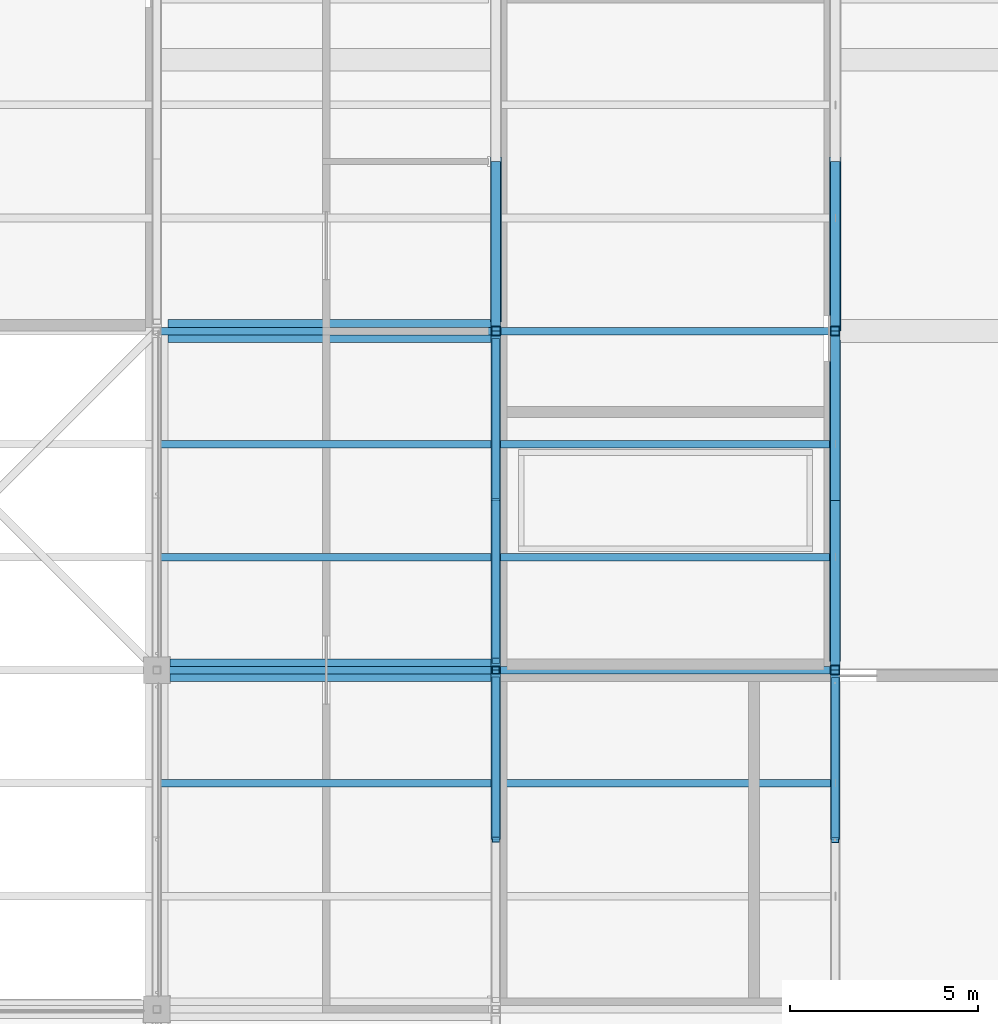
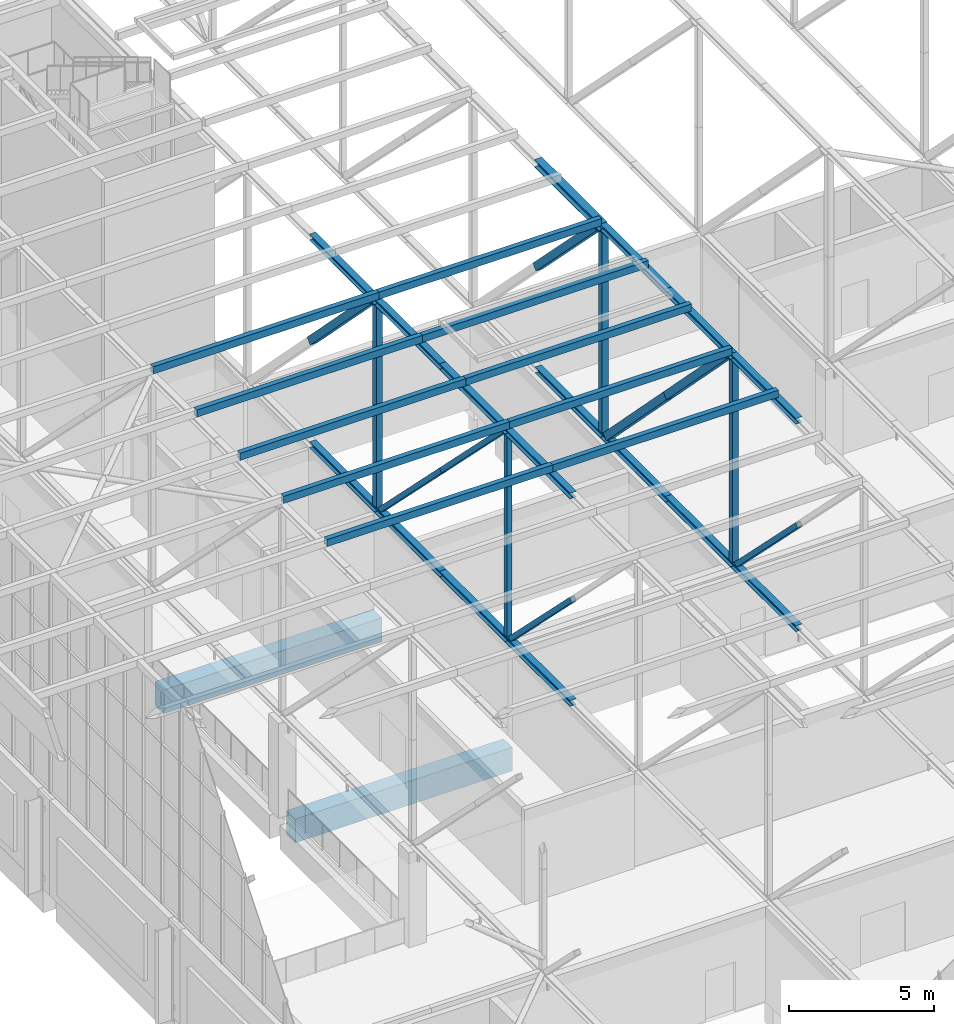
# One storey, part 24 of 646: 42 members, 2 beams.
"""IFC4 building model written with IfcOpenShell, lengths in metres."""

import ifcopenshell
import ifcopenshell.guid

model = None  # the IFC model being written
_history = None  # IfcOwnerHistory: only IFC2X3 demands one
_inside = {}  # id of a spatial element -> (the spatial element, [elements in it])
_under = {}  # id of a project, library or spatial element -> (it, [spatial elements below it])
_declared = {}  # id of a project -> (the project, [libraries it declares])
_typed = {}  # id of a type object -> (the type object, [elements of that type])
_made_of = {}  # id of a material, layer set ... -> (it, [elements and type objects made of it])


def new_model(schema):
    """Start an empty IFC model of exactly this schema.

    Asked for "IFC4X3", IfcOpenShell would pick the latest addendum, in which some entities
    have other attributes; the version numbers below select the first issue.
    IFC2X3 requires an IfcOwnerHistory on every rooted entity: one is made here for all.
    """
    global model, _history
    if schema == "IFC4X3":
        model = ifcopenshell.file(schema_version=(4, 3, 0, 0))
    else:
        model = ifcopenshell.file(schema=schema)
    _inside.clear()
    _under.clear()
    _declared.clear()
    _typed.clear()
    _made_of.clear()
    _history = None
    if model.schema == "IFC2X3":
        org = make("IfcOrganization", Name="unknown")
        user = make(
            "IfcPersonAndOrganization",
            ThePerson=make("IfcPerson", FamilyName="unknown"),
            TheOrganization=org,
        )
        app = make(
            "IfcApplication",
            ApplicationDeveloper=org,
            Version="unknown",
            ApplicationFullName="unknown",
            ApplicationIdentifier="unknown",
        )
        _history = make(
            "IfcOwnerHistory",
            OwningUser=user,
            OwningApplication=app,
            ChangeAction="ADDED",
            CreationDate=0,
        )
    return model


def make(cls, **values):
    """One entity of the class cls with the attributes given. An attribute that is None is left unset."""
    return model.create_entity(
        cls, **{name: value for name, value in values.items() if value is not None}
    )


def rooted(cls, **values):
    """An entity with a GlobalId (a new one), such as an element, a storey or a relation."""
    return make(cls, GlobalId=ifcopenshell.guid.new(), OwnerHistory=_history, **values)


def si_unit(unit_type, name, prefix=None):
    """IfcSIUnit, for example si_unit("LENGTHUNIT", "METRE", prefix="MILLI")."""
    return make("IfcSIUnit", UnitType=unit_type, Prefix=prefix, Name=name)


def assignment(units):
    """IfcUnitAssignment: the units of a project."""
    return None if units is None else make("IfcUnitAssignment", Units=units)


def point(xyz):
    """IfcCartesianPoint."""
    return None if xyz is None else make("IfcCartesianPoint", Coordinates=xyz)


def direction(xyz):
    """IfcDirection."""
    return None if xyz is None else make("IfcDirection", DirectionRatios=xyz)


def frame(location, z_axis=None, x_axis=None):
    """IfcAxis2Placement3D, a coordinate frame: its origin and axes. An axis left out is left unset."""
    return make(
        "IfcAxis2Placement3D",
        Location=point(location),
        Axis=direction(z_axis),
        RefDirection=direction(x_axis),
    )


def frame_2d(location, x_axis=None):
    """IfcAxis2Placement2D, a coordinate frame in the plane: its origin and x axis."""
    return make(
        "IfcAxis2Placement2D", Location=point(location), RefDirection=direction(x_axis)
    )


def origin():
    """The frame at (0, 0, 0) with its axes left unset."""
    return frame((0.0, 0.0, 0.0))


def origin_2d():
    """The frame at (0, 0) in the plane with its x axis left unset."""
    return frame_2d((0.0, 0.0))


def place(relative_to, where):
    """IfcLocalPlacement: puts the frame where relative to a parent placement (None: the world)."""
    return make(
        "IfcLocalPlacement", PlacementRelTo=relative_to, RelativePlacement=where
    )


def context(
    kind, dimensions, precision=None, world=None, true_north=None, identifier=None
):
    """IfcGeometricRepresentationContext, for example the 3D "Model" context."""
    return make(
        "IfcGeometricRepresentationContext",
        ContextIdentifier=identifier,
        ContextType=kind,
        CoordinateSpaceDimension=dimensions,
        Precision=precision,
        WorldCoordinateSystem=world,
        TrueNorth=true_north,
    )


def subcontext(parent, identifier, kind, view, scale=None):
    """IfcGeometricRepresentationSubContext, for example "Body" below "Model"."""
    return make(
        "IfcGeometricRepresentationSubContext",
        ContextIdentifier=identifier,
        ContextType=kind,
        ParentContext=parent,
        TargetScale=scale,
        TargetView=view,
    )


def project(units=None, contexts=None):
    """IfcProject with its units and contexts."""
    return rooted(
        "IfcProject",
        Name="project",
        RepresentationContexts=contexts,
        UnitsInContext=assignment(units),
    )


def spatial(cls, under=None, at=None, **own):
    """A site, building, storey or space (cls), placed at a placement, below another one or the project."""
    s = rooted(cls, ObjectPlacement=at, **own)
    if under is not None:
        _under.setdefault(under.id(), (under, []))[1].append(s)
    return s


def profile(cls, at=None, kind="AREA", **sizes):
    """A parametric profile (cls). Its sizes go by their IFC names, for example OverallWidth=200.0."""
    return make(cls, ProfileType=kind, Position=at, **sizes)


def rectangle(**sizes):
    """IfcRectangleProfileDef."""
    return profile("IfcRectangleProfileDef", **sizes)


def hollow_rectangle(**sizes):
    """IfcRectangleHollowProfileDef."""
    return profile("IfcRectangleHollowProfileDef", **sizes)


def i_section(**sizes):
    """IfcIShapeProfileDef."""
    return profile("IfcIShapeProfileDef", **sizes)


def extrude(swept, where, along, depth):
    """IfcExtrudedAreaSolid: the profile swept, set in the frame where, extruded along a direction by depth."""
    return make(
        "IfcExtrudedAreaSolid",
        SweptArea=swept,
        Position=where,
        ExtrudedDirection=direction(along),
        Depth=depth,
    )


def shape(context_of_items, identifier, shape_type, items):
    """IfcShapeRepresentation: the items that make up one representation, for example the "Body"."""
    return make(
        "IfcShapeRepresentation",
        ContextOfItems=context_of_items,
        RepresentationIdentifier=identifier,
        RepresentationType=shape_type,
        Items=items,
    )


def material(Name=None, Category=None):
    """IfcMaterial."""
    return make("IfcMaterial", Name=Name, Category=Category)


def material_profile(
    of_material, cross_section, Name=None, Category=None, Priority=None
):
    """IfcMaterialProfile: a cross section and its material."""
    return make(
        "IfcMaterialProfile",
        Name=Name,
        Material=of_material,
        Profile=cross_section,
        Priority=Priority,
        Category=Category,
    )


def profile_set(profiles, Name=None, composite=None):
    """IfcMaterialProfileSet."""
    return make(
        "IfcMaterialProfileSet",
        Name=Name,
        MaterialProfiles=profiles,
        CompositeProfile=composite,
    )


def made_of(thing, what):
    """Note that an element or type object is made of a material, layer set ...; save() writes the relation."""
    if what is not None:
        _made_of.setdefault(what.id(), (what, []))[1].append(thing)
    return thing


def type_object(cls, material=None, **own):
    """A type object (cls), such as IfcWallType, which elements share."""
    return made_of(rooted(cls, **own), material)


def element(
    cls,
    number,
    at=None,
    inside=None,
    cuts=None,
    type_object=None,
    material=None,
    context=None,
    identifier="Body",
    shape_type=None,
    held_by="IfcProductDefinitionShape",
    body=None,
    shapes=None,
    **own,
):
    """One element of the class cls, such as IfcWall. Its Tag is "e" and its number.

    at: its placement. inside: the storey or other place that contains it. cuts: it is an
    opening in that element (IfcRelVoidsElement). A single representation is given by context,
    identifier, shape_type and body (its items); several are given by shapes. held_by: the class
    of the entity that holds the representations. save() writes the other relations.
    """
    e = rooted(cls, Tag="e%d" % number, ObjectPlacement=at, **own)
    if body is not None:
        shapes = [shape(context, identifier, shape_type, body)]
    if shapes is not None:
        e.Representation = make(held_by, Representations=shapes)
    if inside is not None:
        _inside.setdefault(inside.id(), (inside, []))[1].append(e)
    if cuts is not None:
        rooted(
            "IfcRelVoidsElement", RelatingBuildingElement=cuts, RelatedOpeningElement=e
        )
    if type_object is not None:
        _typed.setdefault(type_object.id(), (type_object, []))[1].append(e)
    return made_of(e, material)


def aggregate(whole, parts):
    """IfcRelAggregates: a whole, such as a stair, and the parts it consists of."""
    return rooted("IfcRelAggregates", RelatingObject=whole, RelatedObjects=parts)


def save(model, path):
    """Write the relations noted so far, then the file.

    IfcRelAggregates (storeys below a building ...), IfcRelContainedInSpatialStructure (elements
    in a storey), IfcRelDefinesByType, IfcRelAssociatesMaterial and IfcRelDeclares: one each for
    every whole, place, type object, material and project.
    """
    for whole, parts in _under.values():
        aggregate(whole, parts)
    for where, things in _inside.values():
        rooted(
            "IfcRelContainedInSpatialStructure",
            RelatedElements=things,
            RelatingStructure=where,
        )
    for kind, things in _typed.values():
        rooted("IfcRelDefinesByType", RelatedObjects=things, RelatingType=kind)
    for what, things in _made_of.values():
        rooted("IfcRelAssociatesMaterial", RelatedObjects=things, RelatingMaterial=what)
    for by, libraries in _declared.values():
        rooted("IfcRelDeclares", RelatingContext=by, RelatedDefinitions=libraries)
    model.write(path)


model = new_model("IFC4")

# Units and contexts
model_context = context("Model", 3, precision=1e-05, world=origin(), true_north=direction((0.0, 1.0)))
body_context = subcontext(model_context, "Body", "Model", "MODEL_VIEW")
ifc_project = project(units=[si_unit("LENGTHUNIT", "METRE"), si_unit("AREAUNIT", "SQUARE_METRE"), si_unit("VOLUMEUNIT", "CUBIC_METRE"), si_unit("PLANEANGLEUNIT", "RADIAN"), si_unit("MASSUNIT", "GRAM", prefix="KILO")], contexts=[model_context])

# Site, building, storey
site_placement = place(None, origin())
site = spatial("IfcSite", under=ifc_project, at=site_placement, CompositionType="ELEMENT")
building_placement = place(site_placement, origin())
building = spatial("IfcBuilding", under=site, at=building_placement, Name="Silverbay Arena", CompositionType="ELEMENT")
storey_placement = place(building_placement, frame((0.0, 0.0, 33.5)))
storey = spatial("IfcBuildingStorey", under=building, at=storey_placement, Name="L05", CompositionType="ELEMENT", Elevation=33.5)

# Members
ifc_material_1 = material(Name="Steel S355", Category="steel")
ifc_material_profile_1 = material_profile(ifc_material_1, i_section(OverallWidth=0.254638671875, OverallDepth=0.254150390625, WebThickness=0.008544921875, FlangeThickness=0.01416015625, at=origin_2d()), Name="UC 254x254x73")
ifc_profile_set_1 = profile_set([ifc_material_profile_1], Name="Steel S355")
member_type_1 = type_object("IfcMemberType", Name="Long-span bottom chord UC 254x254x73", PredefinedType="CHORD", material=ifc_profile_set_1)
for number, where, z_axis, x_axis, name in (
    (1, (81.0, 40.5, 4.126953125), (0.0, 1.0, 0.0), (-1.0, 0.0, 0.0), "ROOF TRUSS 10 bottom chord 04b"),
    (2, (81.0, 45.0, 4.126953125), (0.0, 1.0, 0.0), (-1.0, 0.0, 0.0), "ROOF TRUSS 10 bottom chord 05a"),
    (3, (81.0, 49.5, 4.126953125), (0.0, 1.0, 0.0), (-1.0, 0.0, 0.0), "ROOF TRUSS 10 bottom chord 05b"),
    (4, (81.0, 54.0, 4.126953125), (0.0, 1.0, 0.0), (-1.0, 0.0, 0.0), "ROOF TRUSS 10 bottom chord 06a"),
):
    element("IfcMember", number, at=place(storey_placement, frame(where, z_axis=z_axis, x_axis=x_axis)), inside=storey, type_object=member_type_1, Name=name, PredefinedType="CHORD", context=body_context, shape_type="SweptSolid", body=[
        extrude(i_section(OverallWidth=0.254638671875, OverallDepth=0.254150390625, WebThickness=0.008544921875, FlangeThickness=0.01416015625, at=origin_2d()), origin(), (0.0, 0.0, 1.0), 4.5),
    ])
ifc_material_2 = material(Name="Steel S355", Category="steel")
ifc_material_profile_2 = material_profile(ifc_material_2, i_section(OverallWidth=0.254638671875, OverallDepth=0.254150390625, WebThickness=0.008544921875, FlangeThickness=0.01416015625, at=origin_2d()), Name="UC 254x254x73")
ifc_profile_set_2 = profile_set([ifc_material_profile_2], Name="Steel S355")
member_type_2 = type_object("IfcMemberType", Name="Long-span top chord UC 254x254x73", PredefinedType="CHORD", material=ifc_profile_set_2)
for number, where, z_axis, x_axis, name in (
    (5, (81.0, 40.5, 12.873046875), (0.0, 1.0, 0.0), (-1.0, 0.0, 0.0), "ROOF TRUSS 10 top chord 04b"),
    (6, (81.0, 45.0, 12.873046875), (0.0, 1.0, 0.0), (-1.0, 0.0, 0.0), "ROOF TRUSS 10 top chord 05a"),
    (7, (81.0, 49.5, 12.873046875), (0.0, 1.0, 0.0), (-1.0, 0.0, 0.0), "ROOF TRUSS 10 top chord 05b"),
):
    element("IfcMember", number, at=place(storey_placement, frame(where, z_axis=z_axis, x_axis=x_axis)), inside=storey, type_object=member_type_2, Name=name, PredefinedType="CHORD", context=body_context, shape_type="SweptSolid", body=[
        extrude(i_section(OverallWidth=0.254638671875, OverallDepth=0.254150390625, WebThickness=0.008544921875, FlangeThickness=0.01416015625, at=origin_2d()), origin(), (0.0, 0.0, 1.0), 4.5),
    ])
ifc_material_3 = material(Name="Steel S355", Category="steel")
ifc_material_profile_3 = material_profile(ifc_material_3, i_section(OverallWidth=0.307373046875, OverallDepth=0.314453125, WebThickness=0.011962890625, FlangeThickness=0.018798828125, at=origin_2d()), Name="UC 305x305x118")
ifc_profile_set_3 = profile_set([ifc_material_profile_3], Name="Steel S355")
member_type_3 = type_object("IfcMemberType", Name="Long-span top chord UC 305x305x118", PredefinedType="CHORD", material=ifc_profile_set_3)
member_1_placement = place(storey_placement, frame((81.0, 54.0, 12.8427734375), z_axis=(0.0, 1.0, 0.0), x_axis=(-1.0, 0.0, 0.0)))
element("IfcMember", 8, at=member_1_placement, inside=storey, type_object=member_type_3, Name="ROOF TRUSS 10 top chord 06a", PredefinedType="CHORD", context=body_context, shape_type="SweptSolid", body=[
    extrude(i_section(OverallWidth=0.307373046875, OverallDepth=0.314453125, WebThickness=0.011962890625, FlangeThickness=0.018798828125, at=origin_2d()), origin(), (0.0, 0.0, 1.0), 4.5),
])
ifc_material_4 = material(Name="Steel S355", Category="steel")
ifc_material_profile_4 = material_profile(ifc_material_4, hollow_rectangle(XDim=0.199951171875, YDim=0.199951171875, WallThickness=0.008056640625, at=origin_2d()), Name="SHS 200x200x8")
ifc_profile_set_4 = profile_set([ifc_material_profile_4], Name="Steel S355")
member_type_4 = type_object("IfcMemberType", Name="Long-span truss diagonal SHS 200x200x8", PredefinedType="BRACE", material=ifc_profile_set_4)
member_2_placement = place(storey_placement, frame((81.0, 40.487548828125, 8.5), z_axis=(0.0, 0.7067609232, -0.707452470091), x_axis=(-1.0, 0.0, 0.0)))
element("IfcMember", 9, at=member_2_placement, inside=storey, type_object=member_type_4, Name="ROOF TRUSS 10 diagonal 04b", PredefinedType="BRACE", context=body_context, shape_type="SweptSolid", body=[
    extrude(hollow_rectangle(XDim=0.199951171875, YDim=0.199951171875, WallThickness=0.008056640625, at=origin_2d()), origin(), (0.0, 0.0, 1.0), 6.001708984375),
])
ifc_material_5 = material(Name="Steel S355", Category="steel")
ifc_material_profile_5 = material_profile(ifc_material_5, hollow_rectangle(XDim=0.300048828125, YDim=0.300048828125, WallThickness=0.012451171875, at=origin_2d()), Name="SHS 300x300x12.5")
ifc_profile_set_5 = profile_set([ifc_material_profile_5], Name="Steel S355")
member_type_5 = type_object("IfcMemberType", Name="Long-span truss diagonal SHS 300x300x12.5", PredefinedType="BRACE", material=ifc_profile_set_5)
member_3_placement = place(storey_placement, frame((81.0, 54.344482421875, 12.685546875), z_axis=(0.0, 0.70264254283, -0.711543011353), x_axis=(-1.0, 0.0, 0.0)))
element("IfcMember", 10, at=member_3_placement, inside=storey, type_object=member_type_5, Name="ROOF TRUSS 10 diagonal 06a", PredefinedType="BRACE", context=body_context, shape_type="SweptSolid", body=[
    extrude(hollow_rectangle(XDim=0.300048828125, YDim=0.300048828125, WallThickness=0.012451171875, at=origin_2d()), origin(), (0.0, 0.0, 1.0), 5.9248046875),
])
ifc_material_6 = material(Name="Steel S355", Category="steel")
ifc_material_profile_6 = material_profile(ifc_material_6, hollow_rectangle(XDim=0.300048828125, YDim=0.300048828125, WallThickness=0.01416015625, at=origin_2d()), Name="SHS 300x300x14.2")
ifc_profile_set_6 = profile_set([ifc_material_profile_6], Name="Steel S355")
member_type_6 = type_object("IfcMemberType", Name="Long-span truss diagonal SHS 300x300x14.2", PredefinedType="BRACE", material=ifc_profile_set_6)
for number, where, z_axis, x_axis, name in (
    (11, (81.0, 45.343505859375, 12.745849609375), (0.0, 0.699547435142, -0.714586164144), (-1.0, 0.0, 0.0), "ROOF TRUSS 10 diagonal 05a"),
    (12, (81.0, 49.5, 8.5), (0.0, 0.699547435142, -0.714586164144), (-1.0, 0.0, 0.0), "ROOF TRUSS 10 diagonal 05b"),
):
    element("IfcMember", number, at=place(storey_placement, frame(where, z_axis=z_axis, x_axis=x_axis)), inside=storey, type_object=member_type_6, Name=name, PredefinedType="BRACE", context=body_context, shape_type="SweptSolid", body=[
        extrude(hollow_rectangle(XDim=0.300048828125, YDim=0.300048828125, WallThickness=0.01416015625, at=origin_2d()), origin(), (0.0, 0.0, 1.0), 5.941650390625),
    ])
ifc_material_7 = material(Name="Steel S355", Category="steel")
ifc_material_profile_7 = material_profile(ifc_material_7, hollow_rectangle(XDim=0.25, YDim=0.25, WallThickness=0.010009765625, at=origin_2d()), Name="SHS 250x250x10")
ifc_profile_set_7 = profile_set([ifc_material_profile_7], Name="Steel S355")
member_type_7 = type_object("IfcMemberType", Name="Long-span truss vertical SHS 250x250x10", PredefinedType="STRUT", material=ifc_profile_set_7)
for number, where, z_axis, x_axis, name in (
    (13, (81.0, 45.0, 4.254150390625), (0.0, 0.0, 1.0), (1.0, 0.0, 0.0), "ROOF TRUSS 10 vertical 05a"),
    (14, (81.0, 45.0, 8.5), (0.0, 0.0, 1.0), (1.0, 0.0, 0.0), "ROOF TRUSS 10 vertical 05b"),
):
    element("IfcMember", number, at=place(storey_placement, frame(where, z_axis=z_axis, x_axis=x_axis)), inside=storey, type_object=member_type_7, Name=name, PredefinedType="STRUT", context=body_context, shape_type="SweptSolid", body=[
        extrude(hollow_rectangle(XDim=0.25, YDim=0.25, WallThickness=0.010009765625, at=origin_2d()), origin(), (0.0, 0.0, 1.0), 4.245849609375),
    ])
member_4_placement = place(storey_placement, frame((81.0, 54.0, 4.254150390625), z_axis=(0.0, 0.0, 1.0), x_axis=(1.0, 0.0, 0.0)))
element("IfcMember", 15, at=member_4_placement, inside=storey, type_object=member_type_7, Name="ROOF TRUSS 10 vertical 06a", PredefinedType="STRUT", context=body_context, shape_type="SweptSolid", body=[
    extrude(hollow_rectangle(XDim=0.25, YDim=0.25, WallThickness=0.010009765625, at=origin_2d()), origin(), (0.0, 0.0, 1.0), 4.215576171875),
])
member_5_placement = place(storey_placement, frame((81.0, 54.0, 8.4697265625), z_axis=(0.0, 0.0, 1.0), x_axis=(1.0, 0.0, 0.0)))
element("IfcMember", 16, at=member_5_placement, inside=storey, type_object=member_type_7, Name="ROOF TRUSS 10 vertical 06b", PredefinedType="STRUT", context=body_context, shape_type="SweptSolid", body=[
    extrude(hollow_rectangle(XDim=0.25, YDim=0.25, WallThickness=0.010009765625, at=origin_2d()), origin(), (0.0, 0.0, 1.0), 4.2158203125),
])
ifc_material_8 = material(Name="Steel S355", Category="steel")
ifc_material_profile_8 = material_profile(ifc_material_8, i_section(OverallWidth=0.254638671875, OverallDepth=0.254150390625, WebThickness=0.008544921875, FlangeThickness=0.01416015625, at=origin_2d()), Name="UC 254x254x73")
ifc_profile_set_8 = profile_set([ifc_material_profile_8], Name="Steel S355")
member_type_8 = type_object("IfcMemberType", Name="Medium-span bottom chord UC 254x254x73", PredefinedType="CHORD", material=ifc_profile_set_8)
for number, where, z_axis, x_axis, name in (
    (17, (72.0, 40.5, 4.126953125), (0.0, 1.0, 0.0), (-1.0, 0.0, 0.0), "ROOF TRUSS 9 bottom chord 04b"),
    (18, (72.0, 45.0, 4.126953125), (0.0, 1.0, 0.0), (-1.0, 0.0, 0.0), "ROOF TRUSS 9 bottom chord 05a"),
    (19, (72.0, 49.5, 4.126953125), (0.0, 1.0, 0.0), (-1.0, 0.0, 0.0), "ROOF TRUSS 9 bottom chord 05b"),
    (20, (72.0, 54.0, 4.126953125), (0.0, 1.0, 0.0), (-1.0, 0.0, 0.0), "ROOF TRUSS 9 bottom chord 06a"),
):
    element("IfcMember", number, at=place(storey_placement, frame(where, z_axis=z_axis, x_axis=x_axis)), inside=storey, type_object=member_type_8, Name=name, PredefinedType="CHORD", context=body_context, shape_type="SweptSolid", body=[
        extrude(i_section(OverallWidth=0.254638671875, OverallDepth=0.254150390625, WebThickness=0.008544921875, FlangeThickness=0.01416015625, at=origin_2d()), origin(), (0.0, 0.0, 1.0), 4.5),
    ])
ifc_material_9 = material(Name="Steel S355", Category="steel")
ifc_material_profile_9 = material_profile(ifc_material_9, i_section(OverallWidth=0.254638671875, OverallDepth=0.254150390625, WebThickness=0.008544921875, FlangeThickness=0.01416015625, at=origin_2d()), Name="UC 254x254x73")
ifc_profile_set_9 = profile_set([ifc_material_profile_9], Name="Steel S355")
member_type_9 = type_object("IfcMemberType", Name="Medium-span top chord UC 254x254x73", PredefinedType="CHORD", material=ifc_profile_set_9)
for number, where, z_axis, x_axis, name in (
    (21, (72.0, 40.5, 12.873046875), (0.0, 1.0, 0.0), (-1.0, 0.0, 0.0), "ROOF TRUSS 9 top chord 04b"),
    (22, (72.0, 45.0, 12.873046875), (0.0, 1.0, 0.0), (-1.0, 0.0, 0.0), "ROOF TRUSS 9 top chord 05a"),
    (23, (72.0, 49.5, 12.873046875), (0.0, 1.0, 0.0), (-1.0, 0.0, 0.0), "ROOF TRUSS 9 top chord 05b"),
    (24, (72.0, 54.0, 12.873046875), (0.0, 1.0, 0.0), (-1.0, 0.0, 0.0), "ROOF TRUSS 9 top chord 06a"),
):
    element("IfcMember", number, at=place(storey_placement, frame(where, z_axis=z_axis, x_axis=x_axis)), inside=storey, type_object=member_type_9, Name=name, PredefinedType="CHORD", context=body_context, shape_type="SweptSolid", body=[
        extrude(i_section(OverallWidth=0.254638671875, OverallDepth=0.254150390625, WebThickness=0.008544921875, FlangeThickness=0.01416015625, at=origin_2d()), origin(), (0.0, 0.0, 1.0), 4.5),
    ])
ifc_material_10 = material(Name="Steel S355", Category="steel")
ifc_material_profile_10 = material_profile(ifc_material_10, hollow_rectangle(XDim=0.199951171875, YDim=0.199951171875, WallThickness=0.008056640625, at=origin_2d()), Name="SHS 200x200x8")
ifc_profile_set_10 = profile_set([ifc_material_profile_10], Name="Steel S355")
member_type_10 = type_object("IfcMemberType", Name="Medium-span truss diagonal SHS 200x200x8", PredefinedType="BRACE", material=ifc_profile_set_10)
member_6_placement = place(storey_placement, frame((72.0, 40.5, 8.5), z_axis=(0.0, 0.70781724692, -0.706395600894), x_axis=(-1.0, 0.0, 0.0)))
element("IfcMember", 25, at=member_6_placement, inside=storey, type_object=member_type_10, Name="ROOF TRUSS 9 diagonal 04b", PredefinedType="BRACE", context=body_context, shape_type="SweptSolid", body=[
    extrude(hollow_rectangle(XDim=0.199951171875, YDim=0.199951171875, WallThickness=0.008056640625, at=origin_2d()), origin(), (0.0, 0.0, 1.0), 6.010498046875),
])
for number, where, z_axis, x_axis, name in (
    (26, (72.0, 45.24560546875, 12.745849609375), (0.0, 0.706781281828, -0.707432130778), (-1.0, 0.0, 0.0), "ROOF TRUSS 9 diagonal 05a"),
    (27, (72.0, 49.487548828125, 8.5), (0.0, 0.7067609232, -0.707452470091), (-1.0, 0.0, 0.0), "ROOF TRUSS 9 diagonal 05b"),
):
    element("IfcMember", number, at=place(storey_placement, frame(where, z_axis=z_axis, x_axis=x_axis)), inside=storey, type_object=member_type_10, Name=name, PredefinedType="BRACE", context=body_context, shape_type="SweptSolid", body=[
        extrude(hollow_rectangle(XDim=0.199951171875, YDim=0.199951171875, WallThickness=0.008056640625, at=origin_2d()), origin(), (0.0, 0.0, 1.0), 6.001708984375),
    ])
ifc_material_11 = material(Name="Steel S355", Category="steel")
ifc_material_profile_11 = material_profile(ifc_material_11, hollow_rectangle(XDim=0.300048828125, YDim=0.300048828125, WallThickness=0.012451171875, at=origin_2d()), Name="SHS 300x300x12.5")
ifc_profile_set_11 = profile_set([ifc_material_profile_11], Name="Steel S355")
member_type_11 = type_object("IfcMemberType", Name="Medium-span truss diagonal SHS 300x300x12.5", PredefinedType="BRACE", material=ifc_profile_set_11)
member_7_placement = place(storey_placement, frame((72.0, 54.343505859375, 12.745849609375), z_axis=(0.0, 0.700196997117, -0.713949693766), x_axis=(-1.0, 0.0, 0.0)))
element("IfcMember", 28, at=member_7_placement, inside=storey, type_object=member_type_11, Name="ROOF TRUSS 9 diagonal 06a", PredefinedType="BRACE", context=body_context, shape_type="SweptSolid", body=[
    extrude(hollow_rectangle(XDim=0.300048828125, YDim=0.300048828125, WallThickness=0.012451171875, at=origin_2d()), origin(), (0.0, 0.0, 1.0), 5.947021484375),
])
ifc_material_12 = material(Name="Steel S355", Category="steel")
ifc_material_profile_12 = material_profile(ifc_material_12, hollow_rectangle(XDim=0.199951171875, YDim=0.199951171875, WallThickness=0.008056640625, at=origin_2d()), Name="SHS 200x200x8")
ifc_profile_set_12 = profile_set([ifc_material_profile_12], Name="Steel S355")
member_type_12 = type_object("IfcMemberType", Name="Medium-span truss vertical SHS 200x200x8", PredefinedType="STRUT", material=ifc_profile_set_12)
for number, where, z_axis, x_axis, name in (
    (29, (72.0, 45.0, 4.254150390625), (0.0, 0.0, 1.0), (1.0, 0.0, 0.0), "ROOF TRUSS 9 vertical 05a"),
    (30, (72.0, 45.0, 8.5), (0.0, 0.0, 1.0), (1.0, 0.0, 0.0), "ROOF TRUSS 9 vertical 05b"),
):
    element("IfcMember", number, at=place(storey_placement, frame(where, z_axis=z_axis, x_axis=x_axis)), inside=storey, type_object=member_type_12, Name=name, PredefinedType="STRUT", context=body_context, shape_type="SweptSolid", body=[
        extrude(hollow_rectangle(XDim=0.199951171875, YDim=0.199951171875, WallThickness=0.008056640625, at=origin_2d()), origin(), (0.0, 0.0, 1.0), 4.245849609375),
    ])
ifc_material_13 = material(Name="Steel S355", Category="steel")
ifc_material_profile_13 = material_profile(ifc_material_13, hollow_rectangle(XDim=0.25, YDim=0.25, WallThickness=0.010009765625, at=origin_2d()), Name="SHS 250x250x10")
ifc_profile_set_13 = profile_set([ifc_material_profile_13], Name="Steel S355")
member_type_13 = type_object("IfcMemberType", Name="Medium-span truss vertical SHS 250x250x10", PredefinedType="STRUT", material=ifc_profile_set_13)
for number, where, z_axis, x_axis, name in (
    (31, (72.0, 54.0, 4.254150390625), (0.0, 0.0, 1.0), (1.0, 0.0, 0.0), "ROOF TRUSS 9 vertical 06a"),
    (32, (72.0, 54.0, 8.5), (0.0, 0.0, 1.0), (1.0, 0.0, 0.0), "ROOF TRUSS 9 vertical 06b"),
):
    element("IfcMember", number, at=place(storey_placement, frame(where, z_axis=z_axis, x_axis=x_axis)), inside=storey, type_object=member_type_13, Name=name, PredefinedType="STRUT", context=body_context, shape_type="SweptSolid", body=[
        extrude(hollow_rectangle(XDim=0.25, YDim=0.25, WallThickness=0.010009765625, at=origin_2d()), origin(), (0.0, 0.0, 1.0), 4.245849609375),
    ])
ifc_material_14 = material(Name="Steel S355", Category="steel")
ifc_material_profile_14 = material_profile(ifc_material_14, hollow_rectangle(XDim=0.199951171875, YDim=0.300048828125, WallThickness=0.00634765625, at=origin_2d()), Name="RHS 300x200x6.3")
ifc_profile_set_14 = profile_set([ifc_material_profile_14], Name="Steel S355")
member_type_14 = type_object("IfcMemberType", Name="Purlin RHS 300x200x6.3", PredefinedType="PURLIN", material=ifc_profile_set_14)
for number, where, z_axis, x_axis, name in (
    (33, (63.0, 42.0, 13.14990234375), (1.0, 0.0, 0.0), (0.0, 1.0, 0.0), "ROOF PURLIN 8-9 line 12"),
    (34, (63.0, 45.0, 13.14990234375), (1.0, 0.0, 0.0), (0.0, 1.0, 0.0), "ROOF PURLIN 8-9 line 13"),
    (35, (63.0, 48.0, 13.14990234375), (1.0, 0.0, 0.0), (0.0, 1.0, 0.0), "ROOF PURLIN 8-9 line 14"),
    (36, (63.0, 51.0, 13.14990234375), (1.0, 0.0, 0.0), (0.0, 1.0, 0.0), "ROOF PURLIN 8-9 line 15"),
    (37, (63.0, 54.0, 13.14990234375), (1.0, 0.0, 0.0), (0.0, 1.0, 0.0), "ROOF PURLIN 8-9 line 16"),
    (38, (72.0, 42.0, 13.14990234375), (1.0, 0.0, 0.0), (0.0, 1.0, 0.0), "ROOF PURLIN 9-10 line 12"),
):
    element("IfcMember", number, at=place(storey_placement, frame(where, z_axis=z_axis, x_axis=x_axis)), inside=storey, type_object=member_type_14, Name=name, PredefinedType="PURLIN", context=body_context, shape_type="SweptSolid", body=[
        extrude(hollow_rectangle(XDim=0.199951171875, YDim=0.300048828125, WallThickness=0.00634765625, at=origin_2d()), origin(), (0.0, 0.0, 1.0), 9.0),
    ])
member_8_placement = place(storey_placement, frame((72.0, 45.0, 13.14990234375), z_axis=(1.0, 0.0, 0.0), x_axis=(0.0, 1.0, 0.0)))
element("IfcMember", 39, at=member_8_placement, inside=storey, type_object=member_type_14, Name="ROOF PURLIN 9-10 line 13", PredefinedType="PURLIN", context=body_context, shape_type="SweptSolid", body=[
    extrude(hollow_rectangle(XDim=0.199951171875, YDim=0.300048828125, WallThickness=0.00634765625, at=origin_2d()), origin(), (0.0, 0.0, 1.0), 8.875),
])
for number, where, z_axis, x_axis, name in (
    (40, (72.0, 48.0, 13.14990234375), (1.0, 0.0, 0.0), (0.0, 1.0, 0.0), "ROOF PURLIN 9-10 line 14"),
    (41, (72.0, 51.0, 13.14990234375), (1.0, 0.0, 0.0), (0.0, 1.0, 0.0), "ROOF PURLIN 9-10 line 15"),
):
    element("IfcMember", number, at=place(storey_placement, frame(where, z_axis=z_axis, x_axis=x_axis)), inside=storey, type_object=member_type_14, Name=name, PredefinedType="PURLIN", context=body_context, shape_type="SweptSolid", body=[
        extrude(hollow_rectangle(XDim=0.199951171875, YDim=0.300048828125, WallThickness=0.00634765625, at=origin_2d()), origin(), (0.0, 0.0, 1.0), 9.0),
    ])
member_9_placement = place(storey_placement, frame((72.0, 54.0, 13.14990234375), z_axis=(1.0, 0.0, 0.0), x_axis=(0.0, 1.0, 0.0)))
element("IfcMember", 42, at=member_9_placement, inside=storey, type_object=member_type_14, Name="ROOF PURLIN 9-10 line 16", PredefinedType="PURLIN", context=body_context, shape_type="SweptSolid", body=[
    extrude(hollow_rectangle(XDim=0.199951171875, YDim=0.300048828125, WallThickness=0.00634765625, at=origin_2d()), origin(), (0.0, 0.0, 1.0), 8.875),
])

# Beams
ifc_material_15 = material(Name="Concrete Grade C45", Category="concrete")
ifc_material_profile_15 = material_profile(ifc_material_15, rectangle(XDim=0.60009765625, YDim=1.0, at=origin_2d()), Name="RC 600x1000")
ifc_profile_set_15 = profile_set([ifc_material_profile_15], Name="Concrete Grade C45")
beam_type = type_object("IfcBeamType", Name="RC beam 600x1000", PredefinedType="BEAM", material=ifc_profile_set_15)
beam_1_placement = place(storey_placement, frame((63.35009765625, 45.0, -0.800048828125), z_axis=(1.0, 0.0, 0.0), x_axis=(0.0, 1.0, 0.0)))
element("IfcBeam", 43, at=beam_1_placement, inside=storey, type_object=beam_type, Name="Floor beam L05 015", PredefinedType="BEAM", context=body_context, shape_type="SweptSolid", body=[
    extrude(rectangle(XDim=0.60009765625, YDim=1.0, at=origin_2d()), origin(), (0.0, 0.0, 1.0), 8.64990234375),
])
beam_2_placement = place(storey_placement, frame((63.300048828125, 54.0, -0.800048828125), z_axis=(1.0, 0.0, 0.0), x_axis=(0.0, 1.0, 0.0)))
element("IfcBeam", 44, at=beam_2_placement, inside=storey, type_object=beam_type, Name="Floor beam L05 019", PredefinedType="BEAM", context=body_context, shape_type="SweptSolid", body=[
    extrude(rectangle(XDim=0.60009765625, YDim=1.0, at=origin_2d()), origin(), (0.0, 0.0, 1.0), 8.699951171875),
])

save(model, "model.ifc")
